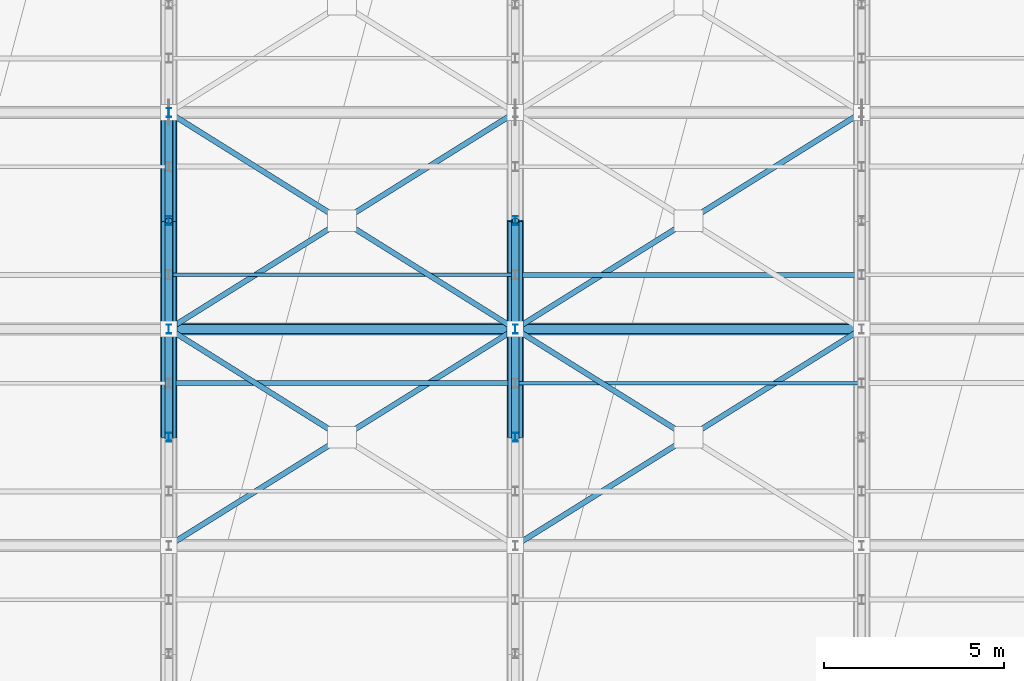
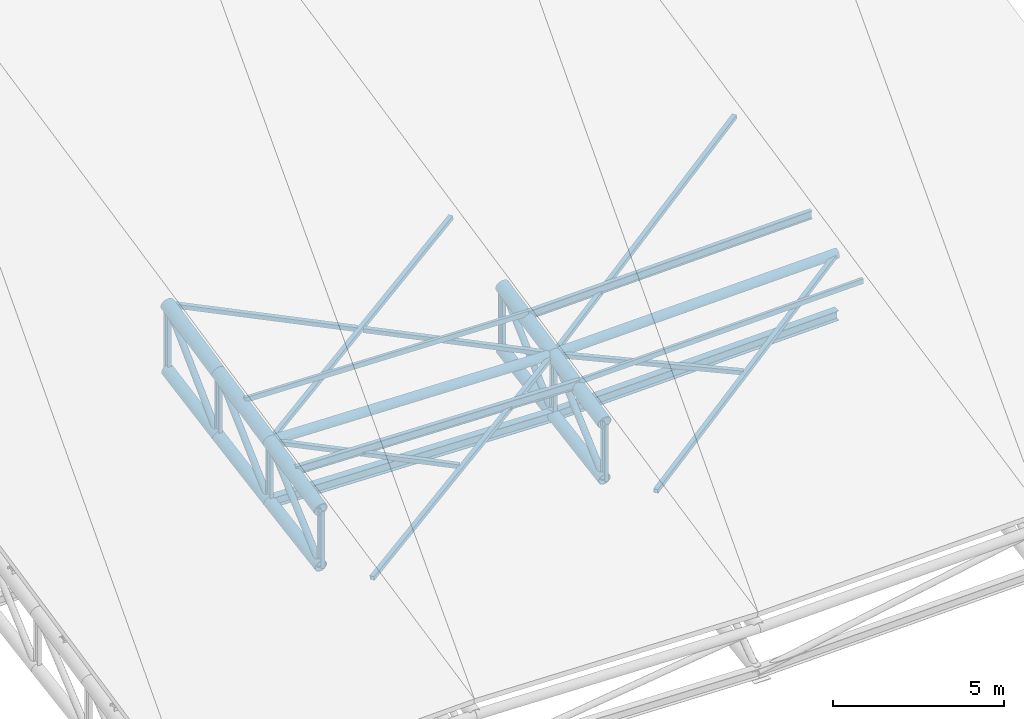
# One storey, part 38 of 109: 28 members, 10 beams.
"""IFC4 building model written with IfcOpenShell, lengths in metres."""

from ifc_helpers import new_model, si_unit, direction, frame, origin, origin_2d, place, context, subcontext, project, spatial, hollow_rectangle, hollow_circle, i_section, extrude, material, material_profile, profile_set, type_object, element, save


model = new_model("IFC4")

# Units and contexts
model_context = context("Model", 3, precision=1e-05, world=origin(), true_north=direction((0.0, 1.0)))
body_context = subcontext(model_context, "Body", "Model", "MODEL_VIEW")
ifc_project = project(units=[si_unit("LENGTHUNIT", "METRE"), si_unit("AREAUNIT", "SQUARE_METRE"), si_unit("VOLUMEUNIT", "CUBIC_METRE"), si_unit("PLANEANGLEUNIT", "RADIAN"), si_unit("MASSUNIT", "GRAM", prefix="KILO")], contexts=[model_context])

# Site, building, storey
site_placement = place(None, origin())
site = spatial("IfcSite", under=ifc_project, at=site_placement, CompositionType="ELEMENT")
building_placement = place(site_placement, origin())
building = spatial("IfcBuilding", under=site, at=building_placement, Name="Suirenkawa Promenade Aquatics Centre", CompositionType="ELEMENT")
storey_placement = place(building_placement, frame((0.0, 0.0, 22.800048828125)))
storey = spatial("IfcBuildingStorey", under=building, at=storey_placement, Name="ROOF", CompositionType="ELEMENT", Elevation=22.800048828125)

# Beams
ifc_material = material(Name="Steel IS 2062 E350 (Grade 350)", Category="steel")
ifc_material_profile_1 = material_profile(ifc_material, hollow_circle(Radius=0.202880859375, WallThickness=0.01806640625, at=origin_2d()), Name="CHS 406x18", Category="steel")
ifc_profile_set_1 = profile_set([ifc_material_profile_1], Name="Steel IS 2062 E350 (Grade 350)")
beam_type_1 = type_object("IfcBeamType", Name="BT-BC-CHS406", PredefinedType="BEAM", material=ifc_profile_set_1)
beam_1_placement = place(storey_placement, frame((165.60009765625, 59.39990234375, -8.908935546875), z_axis=(0.0, 0.986393923832, 0.164398987305), x_axis=(-1.0, 0.0, 0.0)))
element("IfcBeam", 1, at=beam_1_placement, inside=storey, type_object=beam_type_1, Name="ROOF TRUSS V2 bottom chord BC-01 BM-2438", PredefinedType="BEAM", context=body_context, shape_type="SweptSolid", body=[
    extrude(hollow_circle(Radius=0.202880859375, WallThickness=0.01806640625, at=origin_2d()), origin(), (0.0, 0.0, 1.0), 3.041259765625),
])
beam_2_placement = place(storey_placement, frame((165.60009765625, 62.39990234375, -8.408935546875), z_axis=(0.0, 0.985198806209, 0.171415612604), x_axis=(-1.0, 0.0, 0.0)))
element("IfcBeam", 2, at=beam_2_placement, inside=storey, type_object=beam_type_1, Name="ROOF TRUSS V2 bottom chord BC-01 BM-2440", PredefinedType="BEAM", context=body_context, shape_type="SweptSolid", body=[
    extrude(hollow_circle(Radius=0.202880859375, WallThickness=0.01806640625, at=origin_2d()), origin(), (0.0, 0.0, 1.0), 3.045166015625),
])
beam_3_placement = place(storey_placement, frame((165.60009765625, 65.39990234375, -7.886962890625), z_axis=(0.0, 0.983844279064, 0.179026351561), x_axis=(-1.0, 0.0, 0.0)))
element("IfcBeam", 3, at=beam_3_placement, inside=storey, type_object=beam_type_1, Name="ROOF TRUSS V2 bottom chord BC-01 BM-2442", PredefinedType="BEAM", context=body_context, shape_type="SweptSolid", body=[
    extrude(hollow_circle(Radius=0.202880859375, WallThickness=0.01806640625, at=origin_2d()), origin(), (0.0, 0.0, 1.0), 3.04931640625),
])
beam_4_placement = place(storey_placement, frame((175.199951171875, 59.39990234375, -9.158935546875), z_axis=(0.0, 0.986393923832, 0.164398987305), x_axis=(-1.0, 0.0, 0.0)))
element("IfcBeam", 4, at=beam_4_placement, inside=storey, type_object=beam_type_1, Name="ROOF TRUSS V2 bottom chord BC-01 BM-2474", PredefinedType="BEAM", context=body_context, shape_type="SweptSolid", body=[
    extrude(hollow_circle(Radius=0.202880859375, WallThickness=0.01806640625, at=origin_2d()), origin(), (0.0, 0.0, 1.0), 3.041259765625),
])
beam_5_placement = place(storey_placement, frame((175.199951171875, 62.39990234375, -8.658935546875), z_axis=(0.0, 0.985198806209, 0.171415612604), x_axis=(-1.0, 0.0, 0.0)))
element("IfcBeam", 5, at=beam_5_placement, inside=storey, type_object=beam_type_1, Name="ROOF TRUSS V2 bottom chord BC-01 BM-2476", PredefinedType="BEAM", context=body_context, shape_type="SweptSolid", body=[
    extrude(hollow_circle(Radius=0.202880859375, WallThickness=0.01806640625, at=origin_2d()), origin(), (0.0, 0.0, 1.0), 3.045166015625),
])
ifc_material_profile_2 = material_profile(ifc_material, hollow_circle(Radius=0.22900390625, WallThickness=0.02001953125, at=origin_2d()), Name="CHS 458x20", Category="steel")
ifc_profile_set_2 = profile_set([ifc_material_profile_2], Name="Steel IS 2062 E350 (Grade 350)")
beam_type_2 = type_object("IfcBeamType", Name="BT-TC-CHS458", PredefinedType="BEAM", material=ifc_profile_set_2)
for number, where, z_axis, x_axis, name in (
    (6, (165.60009765625, 59.39990234375, -6.880126953125), (0.0, 0.978452518953, 0.206471954886), (-1.0, 0.0, 0.0), "ROOF TRUSS V2 top chord TC-01 BM-2437"),
    (7, (165.60009765625, 62.39990234375, -6.2470703125), (0.0, 0.978388130003, 0.206776853322), (-1.0, 0.0, 0.0), "ROOF TRUSS V2 top chord TC-01 BM-2439"),
    (8, (165.60009765625, 65.39990234375, -5.613037109375), (0.0, 0.978452518953, 0.206471954886), (-1.0, 0.0, 0.0), "ROOF TRUSS V2 top chord TC-01 BM-2441"),
    (9, (175.199951171875, 59.39990234375, -7.130126953125), (0.0, 0.978452518953, 0.206471954886), (-1.0, 0.0, 0.0), "ROOF TRUSS V2 top chord TC-01 BM-2473"),
    (10, (175.199951171875, 62.39990234375, -6.4970703125), (0.0, 0.978388130003, 0.206776853322), (-1.0, 0.0, 0.0), "ROOF TRUSS V2 top chord TC-01 BM-2475"),
):
    element("IfcBeam", number, at=place(storey_placement, frame(where, z_axis=z_axis, x_axis=x_axis)), inside=storey, type_object=beam_type_2, Name=name, PredefinedType="BEAM", context=body_context, shape_type="SweptSolid", body=[
        extrude(hollow_circle(Radius=0.22900390625, WallThickness=0.02001953125, at=origin_2d()), origin(), (0.0, 0.0, 1.0), 3.066162109375),
    ])

# Members
ifc_material_profile_3 = material_profile(ifc_material, hollow_rectangle(XDim=0.14990234375, YDim=0.14990234375, WallThickness=0.008056640625, at=origin_2d()), Name="SHS 150x150x8", Category="steel")
ifc_profile_set_3 = profile_set([ifc_material_profile_3], Name="Steel IS 2062 E350 (Grade 350)")
member_type_1 = type_object("IfcMemberType", Name="MT-BRACE-SHS150", PredefinedType="BRACE", material=ifc_profile_set_3)
member_1_placement = place(storey_placement, frame((165.60009765625, 56.39990234375, -7.512939453125), z_axis=(0.844600898958, 0.527883616713, 0.089376779343), x_axis=(-0.530004755527, 0.847994669275, 0.0)))
element("IfcMember", 11, at=member_1_placement, inside=storey, type_object=member_type_1, Name="ROOF TRUSS V2 continuous plan brace BF-02 MB-1234", PredefinedType="BRACE", context=body_context, shape_type="SweptSolid", body=[
    extrude(hollow_rectangle(XDim=0.14990234375, YDim=0.14990234375, WallThickness=0.008056640625, at=origin_2d()), origin(), (0.0, 0.0, 1.0), 11.3662109375),
])
member_2_placement = place(storey_placement, frame((170.3291015625, 59.445068359375, -6.994140625), z_axis=(-0.840552282659, 0.5252041444, 0.132787299171), x_axis=(-0.529896613575, -0.848062249438, 0.0)))
element("IfcMember", 12, at=member_2_placement, inside=storey, type_object=member_type_1, Name="ROOF TRUSS V2 split plan brace B BF-02 MB-1236", PredefinedType="BRACE", context=body_context, shape_type="SweptSolid", body=[
    extrude(hollow_rectangle(XDim=0.14990234375, YDim=0.14990234375, WallThickness=0.008056640625, at=origin_2d()), origin(), (0.0, 0.0, 1.0), 5.6259765625),
])
member_3_placement = place(storey_placement, frame((165.60009765625, 62.39990234375, -6.2470703125), z_axis=(0.84459278696, 0.527878546637, 0.089483318086), x_axis=(-0.530004755527, 0.847994669275, 0.0)))
element("IfcMember", 13, at=member_3_placement, inside=storey, type_object=member_type_1, Name="ROOF TRUSS V2 continuous plan brace BF-02 MB-1237", PredefinedType="BRACE", context=body_context, shape_type="SweptSolid", body=[
    extrude(hollow_rectangle(XDim=0.14990234375, YDim=0.14990234375, WallThickness=0.008056640625, at=origin_2d()), origin(), (0.0, 0.0, 1.0), 11.3662109375),
])
member_4_placement = place(storey_placement, frame((175.199951171875, 62.39990234375, -6.4970703125), z_axis=(-0.840533125501, 0.525235567944, 0.132784272795), x_axis=(-0.529928101095, -0.848042574208, 0.0)))
element("IfcMember", 14, at=member_4_placement, inside=storey, type_object=member_type_1, Name="ROOF TRUSS V2 split plan brace A BF-02 MB-1238", PredefinedType="BRACE", context=body_context, shape_type="SweptSolid", body=[
    extrude(hollow_rectangle(XDim=0.14990234375, YDim=0.14990234375, WallThickness=0.008056640625, at=origin_2d()), origin(), (0.0, 0.0, 1.0), 5.626220703125),
])
member_5_placement = place(storey_placement, frame((170.3291015625, 65.445068359375, -5.72705078125), z_axis=(-0.840552282659, 0.5252041444, 0.132787299171), x_axis=(-0.529896613575, -0.848062249438, 0.0)))
element("IfcMember", 15, at=member_5_placement, inside=storey, type_object=member_type_1, Name="ROOF TRUSS V2 split plan brace B BF-02 MB-1239", PredefinedType="BRACE", context=body_context, shape_type="SweptSolid", body=[
    extrude(hollow_rectangle(XDim=0.14990234375, YDim=0.14990234375, WallThickness=0.008056640625, at=origin_2d()), origin(), (0.0, 0.0, 1.0), 5.6259765625),
])
member_6_placement = place(storey_placement, frame((175.199951171875, 56.39990234375, -7.762939453125), z_axis=(0.84049939683, 0.525306779322, 0.132716056023), x_axis=(-0.529995063044, 0.848000727092, 0.0)))
element("IfcMember", 16, at=member_6_placement, inside=storey, type_object=member_type_1, Name="ROOF TRUSS V2 continuous plan brace BF-02 MB-1255", PredefinedType="BRACE", context=body_context, shape_type="SweptSolid", body=[
    extrude(hollow_rectangle(XDim=0.14990234375, YDim=0.14990234375, WallThickness=0.008056640625, at=origin_2d()), origin(), (0.0, 0.0, 1.0), 11.421875),
])
member_7_placement = place(storey_placement, frame((179.927978515625, 59.445068359375, -6.9970703125), z_axis=(-0.844623469677, 0.527856958252, 0.089320916343), x_axis=(-0.529975323389, -0.848013063931, 0.0)))
element("IfcMember", 17, at=member_7_placement, inside=storey, type_object=member_type_1, Name="ROOF TRUSS V2 split plan brace B BF-02 MB-1257", PredefinedType="BRACE", context=body_context, shape_type="SweptSolid", body=[
    extrude(hollow_rectangle(XDim=0.14990234375, YDim=0.14990234375, WallThickness=0.008056640625, at=origin_2d()), origin(), (0.0, 0.0, 1.0), 5.597900390625),
])
member_8_placement = place(storey_placement, frame((175.199951171875, 62.39990234375, -6.4970703125), z_axis=(0.840487470735, 0.525299325588, 0.132821045296), x_axis=(-0.529995063044, 0.848000727092, 0.0)))
element("IfcMember", 18, at=member_8_placement, inside=storey, type_object=member_type_1, Name="ROOF TRUSS V2 continuous plan brace BF-02 MB-1258", PredefinedType="BRACE", context=body_context, shape_type="SweptSolid", body=[
    extrude(hollow_rectangle(XDim=0.14990234375, YDim=0.14990234375, WallThickness=0.008056640625, at=origin_2d()), origin(), (0.0, 0.0, 1.0), 11.422119140625),
])
ifc_material_profile_4 = material_profile(ifc_material, hollow_circle(Radius=0.162109375, WallThickness=0.013916015625, at=origin_2d()), Name="CHS 324x14", Category="steel")
ifc_profile_set_4 = profile_set([ifc_material_profile_4], Name="Steel IS 2062 E350 (Grade 350)")
member_type_2 = type_object("IfcMemberType", Name="MT-CHORD-CHS324", PredefinedType="CHORD", material=ifc_profile_set_4)
member_9_placement = place(storey_placement, frame((165.60009765625, 62.39990234375, -6.2470703125), z_axis=(0.999661077831, 0.0, -0.026033237804), x_axis=(0.0, 1.0, 0.0)))
element("IfcMember", 19, at=member_9_placement, inside=storey, type_object=member_type_2, Name="ROOF TRUSS V2 tie chord CH-01 MB-1180", PredefinedType="CHORD", context=body_context, shape_type="SweptSolid", body=[
    extrude(hollow_circle(Radius=0.162109375, WallThickness=0.013916015625, at=origin_2d()), origin(), (0.0, 0.0, 1.0), 9.60302734375),
])
member_10_placement = place(storey_placement, frame((175.199951171875, 62.39990234375, -6.4970703125), z_axis=(0.99966109506, 0.0, 0.0260325762), x_axis=(0.0, 1.0, 0.0)))
element("IfcMember", 20, at=member_10_placement, inside=storey, type_object=member_type_2, Name="ROOF TRUSS V2 tie chord CH-01 MB-1182", PredefinedType="CHORD", context=body_context, shape_type="SweptSolid", body=[
    extrude(hollow_circle(Radius=0.162109375, WallThickness=0.013916015625, at=origin_2d()), origin(), (0.0, 0.0, 1.0), 9.603271484375),
])
ifc_material_profile_5 = material_profile(ifc_material, i_section(OverallWidth=0.25, OverallDepth=0.35009765625, WebThickness=0.010009765625, FlangeThickness=0.011962890625, at=origin_2d()), Name="ISHB 350", Category="steel")
ifc_profile_set_5 = profile_set([ifc_material_profile_5], Name="Steel IS 2062 E350 (Grade 350)")
member_type_3 = type_object("IfcMemberType", Name="MT-CHORD-ISHB350", PredefinedType="CHORD", material=ifc_profile_set_5)
member_11_placement = place(storey_placement, frame((165.60009765625, 62.39990234375, -8.408935546875), z_axis=(0.999661077831, 0.0, -0.026033237804), x_axis=(0.0, 1.0, 0.0)))
element("IfcMember", 21, at=member_11_placement, inside=storey, type_object=member_type_3, Name="ROOF TRUSS V2 bottom tie CH-04 MB-1181", PredefinedType="CHORD", context=body_context, shape_type="SweptSolid", body=[
    extrude(i_section(OverallWidth=0.25, OverallDepth=0.35009765625, WebThickness=0.010009765625, FlangeThickness=0.011962890625, at=origin_2d()), origin(), (0.0, 0.0, 1.0), 9.60302734375),
])
member_12_placement = place(storey_placement, frame((175.199951171875, 62.39990234375, -8.658935546875), z_axis=(0.99966109506, 0.0, 0.0260325762), x_axis=(0.0, 1.0, 0.0)))
element("IfcMember", 22, at=member_12_placement, inside=storey, type_object=member_type_3, Name="ROOF TRUSS V2 bottom tie CH-04 MB-1183", PredefinedType="CHORD", context=body_context, shape_type="SweptSolid", body=[
    extrude(i_section(OverallWidth=0.25, OverallDepth=0.35009765625, WebThickness=0.010009765625, FlangeThickness=0.011962890625, at=origin_2d()), origin(), (0.0, 0.0, 1.0), 9.603271484375),
])
ifc_material_profile_6 = material_profile(ifc_material, i_section(OverallWidth=0.139892578125, OverallDepth=0.300048828125, WebThickness=0.008056640625, FlangeThickness=0.012939453125, at=origin_2d()), Name="ISMB 300", Category="steel")
ifc_profile_set_6 = profile_set([ifc_material_profile_6], Name="Steel IS 2062 E350 (Grade 350)")
member_type_4 = type_object("IfcMemberType", Name="MT-PURLIN-ISMB300", PredefinedType="PURLIN", material=ifc_profile_set_6)
member_13_placement = place(storey_placement, frame((165.60009765625, 60.89990234375, -6.376953125), z_axis=(0.999661077831, 0.0, -0.026033237804), x_axis=(0.0, 1.0, 0.0)))
element("IfcMember", 23, at=member_13_placement, inside=storey, type_object=member_type_4, Name="ROOF TRUSS Roof purlin PU-05 MB-2481", PredefinedType="PURLIN", context=body_context, shape_type="SweptSolid", body=[
    extrude(i_section(OverallWidth=0.139892578125, OverallDepth=0.300048828125, WebThickness=0.008056640625, FlangeThickness=0.012939453125, at=origin_2d()), origin(), (0.0, 0.0, 1.0), 9.60302734375),
])
member_14_placement = place(storey_placement, frame((175.199951171875, 63.89990234375, -5.994140625), z_axis=(0.99966109506, 0.0, 0.0260325762), x_axis=(0.0, 1.0, 0.0)))
element("IfcMember", 24, at=member_14_placement, inside=storey, type_object=member_type_4, Name="ROOF TRUSS Roof purlin PU-05 MB-2527", PredefinedType="PURLIN", context=body_context, shape_type="SweptSolid", body=[
    extrude(i_section(OverallWidth=0.139892578125, OverallDepth=0.300048828125, WebThickness=0.008056640625, FlangeThickness=0.012939453125, at=origin_2d()), origin(), (0.0, 0.0, 1.0), 9.603271484375),
])
ifc_material_profile_7 = material_profile(ifc_material, hollow_rectangle(XDim=0.10009765625, YDim=0.179931640625, WallThickness=0.008056640625, at=origin_2d()), Name="RHS 180x100x8", Category="steel")
ifc_profile_set_7 = profile_set([ifc_material_profile_7], Name="Steel IS 2062 E350 (Grade 350)")
member_type_5 = type_object("IfcMemberType", Name="MT-PURLIN-RHS180", PredefinedType="PURLIN", material=ifc_profile_set_7)
member_15_placement = place(storey_placement, frame((165.60009765625, 63.89990234375, -5.678955078125), z_axis=(0.999661077831, 0.0, -0.026033237804), x_axis=(0.0, 1.0, 0.0)))
element("IfcMember", 25, at=member_15_placement, inside=storey, type_object=member_type_5, Name="ROOF TRUSS Roof purlin PU-01 MB-2483", PredefinedType="PURLIN", context=body_context, shape_type="SweptSolid", body=[
    extrude(hollow_rectangle(XDim=0.10009765625, YDim=0.179931640625, WallThickness=0.008056640625, at=origin_2d()), origin(), (0.0, 0.0, 1.0), 9.60302734375),
])
member_16_placement = place(storey_placement, frame((175.199951171875, 60.89990234375, -6.56298828125), z_axis=(0.99966109506, 0.0, 0.0260325762), x_axis=(0.0, 1.0, 0.0)))
element("IfcMember", 26, at=member_16_placement, inside=storey, type_object=member_type_5, Name="ROOF TRUSS Roof purlin PU-01 MB-2525", PredefinedType="PURLIN", context=body_context, shape_type="SweptSolid", body=[
    extrude(hollow_rectangle(XDim=0.10009765625, YDim=0.179931640625, WallThickness=0.008056640625, at=origin_2d()), origin(), (0.0, 0.0, 1.0), 9.603271484375),
])
ifc_material_profile_8 = material_profile(ifc_material, i_section(OverallWidth=0.125, OverallDepth=0.25, WebThickness=0.007080078125, FlangeThickness=0.012939453125, at=origin_2d()), Name="ISMB 250", Category="steel")
ifc_profile_set_8 = profile_set([ifc_material_profile_8], Name="Steel IS 2062 E350 (Grade 350)")
member_type_6 = type_object("IfcMemberType", Name="MT-WEB-CHS168", PredefinedType="BRACE", material=ifc_profile_set_8)
member_17_placement = place(storey_placement, frame((165.60009765625, 59.39990234375, -8.908935546875), z_axis=(0.0, 0.0, 1.0), x_axis=(1.0, 0.0, 0.0)))
element("IfcMember", 27, at=member_17_placement, inside=storey, type_object=member_type_6, Name="ROOF TRUSS V2 web post TD-03 MB-1026", PredefinedType="BRACE", context=body_context, shape_type="SweptSolid", body=[
    extrude(i_section(OverallWidth=0.125, OverallDepth=0.25, WebThickness=0.007080078125, FlangeThickness=0.012939453125, at=origin_2d()), origin(), (0.0, 0.0, 1.0), 2.02880859375),
])
member_18_placement = place(storey_placement, frame((165.60009765625, 62.39990234375, -8.408935546875), z_axis=(0.0, 0.0, 1.0), x_axis=(1.0, 0.0, 0.0)))
element("IfcMember", 28, at=member_18_placement, inside=storey, type_object=member_type_6, Name="ROOF TRUSS V2 web post TD-03 MB-1027", PredefinedType="BRACE", context=body_context, shape_type="SweptSolid", body=[
    extrude(i_section(OverallWidth=0.125, OverallDepth=0.25, WebThickness=0.007080078125, FlangeThickness=0.012939453125, at=origin_2d()), origin(), (0.0, 0.0, 1.0), 2.161865234375),
])
member_19_placement = place(storey_placement, frame((165.60009765625, 65.39990234375, -7.886962890625), z_axis=(0.0, 0.0, 1.0), x_axis=(1.0, 0.0, 0.0)))
element("IfcMember", 29, at=member_19_placement, inside=storey, type_object=member_type_6, Name="ROOF TRUSS V2 web post TD-03 MB-1028", PredefinedType="BRACE", context=body_context, shape_type="SweptSolid", body=[
    extrude(i_section(OverallWidth=0.125, OverallDepth=0.25, WebThickness=0.007080078125, FlangeThickness=0.012939453125, at=origin_2d()), origin(), (0.0, 0.0, 1.0), 2.27392578125),
])
member_20_placement = place(storey_placement, frame((165.60009765625, 68.39990234375, -7.341064453125), z_axis=(0.0, 0.0, 1.0), x_axis=(1.0, 0.0, 0.0)))
element("IfcMember", 30, at=member_20_placement, inside=storey, type_object=member_type_6, Name="ROOF TRUSS V2 web post TD-03 MB-1029", PredefinedType="BRACE", context=body_context, shape_type="SweptSolid", body=[
    extrude(i_section(OverallWidth=0.125, OverallDepth=0.25, WebThickness=0.007080078125, FlangeThickness=0.012939453125, at=origin_2d()), origin(), (0.0, 0.0, 1.0), 2.361083984375),
])
member_21_placement = place(storey_placement, frame((175.199951171875, 59.39990234375, -9.158935546875), z_axis=(0.0, 0.0, 1.0), x_axis=(1.0, 0.0, 0.0)))
element("IfcMember", 31, at=member_21_placement, inside=storey, type_object=member_type_6, Name="ROOF TRUSS V2 web post TD-03 MB-1061", PredefinedType="BRACE", context=body_context, shape_type="SweptSolid", body=[
    extrude(i_section(OverallWidth=0.125, OverallDepth=0.25, WebThickness=0.007080078125, FlangeThickness=0.012939453125, at=origin_2d()), origin(), (0.0, 0.0, 1.0), 2.02880859375),
])
member_22_placement = place(storey_placement, frame((175.199951171875, 62.39990234375, -8.658935546875), z_axis=(0.0, 0.0, 1.0), x_axis=(1.0, 0.0, 0.0)))
element("IfcMember", 32, at=member_22_placement, inside=storey, type_object=member_type_6, Name="ROOF TRUSS V2 web post TD-03 MB-1062", PredefinedType="BRACE", context=body_context, shape_type="SweptSolid", body=[
    extrude(i_section(OverallWidth=0.125, OverallDepth=0.25, WebThickness=0.007080078125, FlangeThickness=0.012939453125, at=origin_2d()), origin(), (0.0, 0.0, 1.0), 2.161865234375),
])
member_23_placement = place(storey_placement, frame((175.199951171875, 65.39990234375, -8.136962890625), z_axis=(0.0, 0.0, 1.0), x_axis=(1.0, 0.0, 0.0)))
element("IfcMember", 33, at=member_23_placement, inside=storey, type_object=member_type_6, Name="ROOF TRUSS V2 web post TD-03 MB-1063", PredefinedType="BRACE", context=body_context, shape_type="SweptSolid", body=[
    extrude(i_section(OverallWidth=0.125, OverallDepth=0.25, WebThickness=0.007080078125, FlangeThickness=0.012939453125, at=origin_2d()), origin(), (0.0, 0.0, 1.0), 2.27392578125),
])
ifc_material_profile_9 = material_profile(ifc_material, hollow_circle(Radius=0.110107421875, WallThickness=0.010009765625, at=origin_2d()), Name="CHS 220x10", Category="steel")
ifc_profile_set_9 = profile_set([ifc_material_profile_9], Name="Steel IS 2062 E350 (Grade 350)")
member_type_7 = type_object("IfcMemberType", Name="MT-WEB-CHS220", PredefinedType="BRACE", material=ifc_profile_set_9)
member_24_placement = place(storey_placement, frame((165.60009765625, 59.39990234375, -8.908935546875), z_axis=(0.0, 0.748003472681, 0.663694813041), x_axis=(-1.0, 0.0, 0.0)))
element("IfcMember", 34, at=member_24_placement, inside=storey, type_object=member_type_7, Name="ROOF TRUSS V2 web diagonal TD-01 MB-1009", PredefinedType="BRACE", context=body_context, shape_type="SweptSolid", body=[
    extrude(hollow_circle(Radius=0.110107421875, WallThickness=0.010009765625, at=origin_2d()), origin(), (0.0, 0.0, 1.0), 4.0107421875),
])
member_25_placement = place(storey_placement, frame((165.60009765625, 62.39990234375, -8.408935546875), z_axis=(0.0, 0.731553970693, 0.681783534536), x_axis=(-1.0, 0.0, 0.0)))
element("IfcMember", 35, at=member_25_placement, inside=storey, type_object=member_type_7, Name="ROOF TRUSS V2 web diagonal TD-01 MB-1010", PredefinedType="BRACE", context=body_context, shape_type="SweptSolid", body=[
    extrude(hollow_circle(Radius=0.110107421875, WallThickness=0.010009765625, at=origin_2d()), origin(), (0.0, 0.0, 1.0), 4.100830078125),
])
member_26_placement = place(storey_placement, frame((165.60009765625, 65.39990234375, -7.886962890625), z_axis=(0.0, 0.718152596146, 0.69588565774), x_axis=(-1.0, 0.0, 0.0)))
element("IfcMember", 36, at=member_26_placement, inside=storey, type_object=member_type_7, Name="ROOF TRUSS V2 web diagonal TD-01 MB-1011", PredefinedType="BRACE", context=body_context, shape_type="SweptSolid", body=[
    extrude(hollow_circle(Radius=0.110107421875, WallThickness=0.010009765625, at=origin_2d()), origin(), (0.0, 0.0, 1.0), 4.177490234375),
])
member_27_placement = place(storey_placement, frame((175.199951171875, 59.39990234375, -9.158935546875), z_axis=(0.0, 0.748003472681, 0.663694813041), x_axis=(-1.0, 0.0, 0.0)))
element("IfcMember", 37, at=member_27_placement, inside=storey, type_object=member_type_7, Name="ROOF TRUSS V2 web diagonal TD-01 MB-1044", PredefinedType="BRACE", context=body_context, shape_type="SweptSolid", body=[
    extrude(hollow_circle(Radius=0.110107421875, WallThickness=0.010009765625, at=origin_2d()), origin(), (0.0, 0.0, 1.0), 4.0107421875),
])
member_28_placement = place(storey_placement, frame((175.199951171875, 62.39990234375, -8.658935546875), z_axis=(0.0, 0.731553970693, 0.681783534536), x_axis=(-1.0, 0.0, 0.0)))
element("IfcMember", 38, at=member_28_placement, inside=storey, type_object=member_type_7, Name="ROOF TRUSS V2 web diagonal TD-01 MB-1045", PredefinedType="BRACE", context=body_context, shape_type="SweptSolid", body=[
    extrude(hollow_circle(Radius=0.110107421875, WallThickness=0.010009765625, at=origin_2d()), origin(), (0.0, 0.0, 1.0), 4.100830078125),
])

save(model, "model.ifc")
